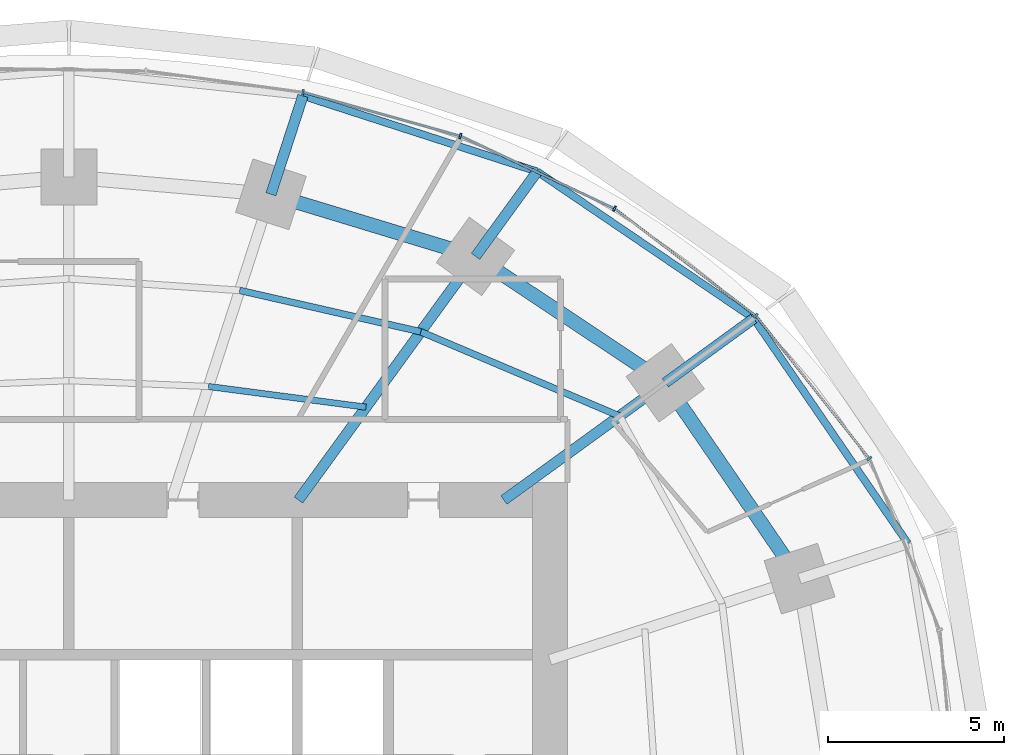
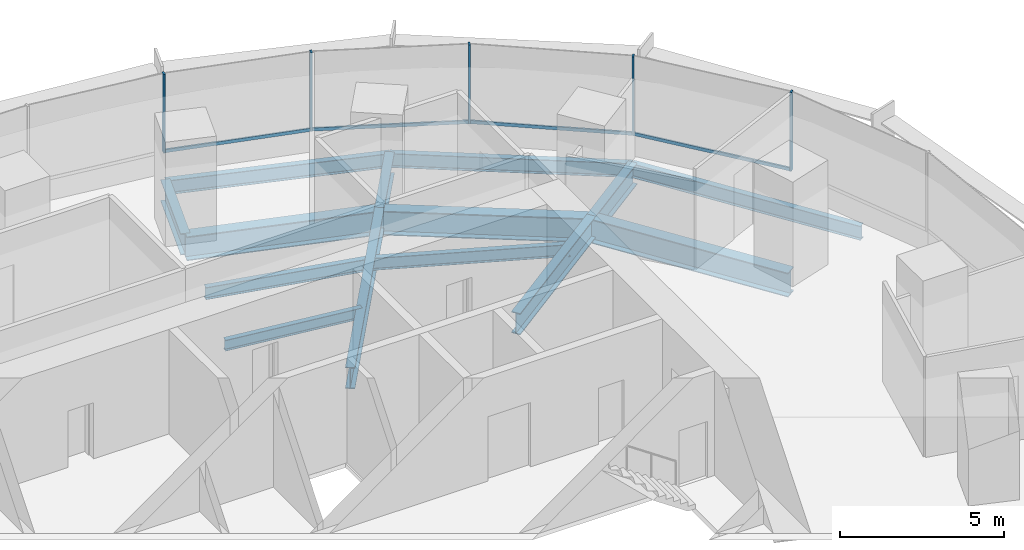
# One storey, part 8 of 14: 14 beams, 9 members, 2 elements without a shape of their own.
"""IFC4 building model written with IfcOpenShell, lengths in metres."""

from ifc_helpers import new_model, si_unit, direction, frame, origin, origin_2d, place, context, subcontext, project, spatial, rectangle, i_section, extrude, material, material_profile, profile_set, type_object, element, aggregate, save


model = new_model("IFC4")

# Units and contexts
model_context = context("Model", 3, precision=1e-05, world=origin(), true_north=direction((0.0, 1.0)))
body_context = subcontext(model_context, "Body", "Model", "MODEL_VIEW")
ifc_project = project(units=[si_unit("LENGTHUNIT", "METRE"), si_unit("AREAUNIT", "SQUARE_METRE"), si_unit("VOLUMEUNIT", "CUBIC_METRE"), si_unit("PLANEANGLEUNIT", "RADIAN"), si_unit("MASSUNIT", "GRAM", prefix="KILO")], contexts=[model_context])

# Site, building, storey
site_placement = place(None, origin())
site = spatial("IfcSite", under=ifc_project, at=site_placement, CompositionType="ELEMENT")
building_placement = place(site_placement, origin())
building = spatial("IfcBuilding", under=site, at=building_placement, Name="Marramba Exchange Tower", CompositionType="ELEMENT")
storey_placement = place(building_placement, frame((0.0, 0.0, 150.89990234375)))
storey = spatial("IfcBuildingStorey", under=building, at=storey_placement, Name="L36", CompositionType="ELEMENT", Elevation=150.89990234375)

# Beams
ifc_material_1 = material(Name="Steel AS/NZS 3679.2 grade 300", Category="steel")
ifc_material_profile_1 = material_profile(ifc_material_1, i_section(OverallWidth=0.300048828125, OverallDepth=0.800048828125, WebThickness=0.013916015625, FlangeThickness=0.031982421875, at=origin_2d()), Name="800WB192")
ifc_profile_set_1 = profile_set([ifc_material_profile_1], Name="Steel AS/NZS 3679.2 grade 300")
beam_type_1 = type_object("IfcBeamType", Name="Cantilever girder 800WB192", PredefinedType="BEAM", material=ifc_profile_set_1)
beam_1_placement = place(storey_placement, frame((16.98583984375, 12.3408203125, -0.559814453125), z_axis=(0.809013970709, 0.58778941399, 0.0), x_axis=(-0.58778941399, 0.809013970709, 0.0)))
element("IfcBeam", 1, at=beam_1_placement, inside=storey, type_object=beam_type_1, Name="Cantilever girder L36 TC03", PredefinedType="BEAM", context=body_context, shape_type="SweptSolid", body=[
    extrude(i_section(OverallWidth=0.300048828125, OverallDepth=0.800048828125, WebThickness=0.013916015625, FlangeThickness=0.031982421875, at=origin_2d()), origin(), (0.0, 0.0, 1.0), 3.1142578125),
])
beam_2_placement = place(storey_placement, frame((11.581298828125, 15.9404296875, -0.559814453125), z_axis=(0.587821738214, 0.808990484544, 0.0), x_axis=(-0.808990484544, 0.587821738214, 0.0)))
element("IfcBeam", 2, at=beam_2_placement, inside=storey, type_object=beam_type_1, Name="Cantilever girder L36 TC04", PredefinedType="BEAM", context=body_context, shape_type="SweptSolid", body=[
    extrude(i_section(OverallWidth=0.300048828125, OverallDepth=0.800048828125, WebThickness=0.013916015625, FlangeThickness=0.031982421875, at=origin_2d()), origin(), (0.0, 0.0, 1.0), 2.987060546875),
])
beam_3_placement = place(storey_placement, frame((5.75390625, 17.70849609375, -0.559814453125), z_axis=(0.309018704887, 0.951055960514, 0.0), x_axis=(-0.951055960514, 0.309018704887, 0.0)))
element("IfcBeam", 3, at=beam_3_placement, inside=storey, type_object=beam_type_1, Name="Cantilever girder L36 TC05", PredefinedType="BEAM", context=body_context, shape_type="SweptSolid", body=[
    extrude(i_section(OverallWidth=0.300048828125, OverallDepth=0.800048828125, WebThickness=0.013916015625, FlangeThickness=0.031982421875, at=origin_2d()), origin(), (0.0, 0.0, 1.0), 2.949951171875),
])
ifc_material_2 = material(Name="Steel AS/NZS 3679.1 grade 300", Category="steel")
ifc_material_profile_2 = material_profile(ifc_material_2, i_section(OverallWidth=0.177978515625, OverallDepth=0.406005859375, WebThickness=0.0078125, FlangeThickness=0.0126953125, FilletRadius=0.011474609375, at=origin_2d()), Name="410UB59.7")
ifc_profile_set_2 = profile_set([ifc_material_profile_2], Name="Steel AS/NZS 3679.1 grade 300")
beam_type_2 = type_object("IfcBeamType", Name="Floor joist 410UB59.7", PredefinedType="JOIST", material=ifc_profile_set_2)
beam_4_placement = place(storey_placement, frame((8.4619140625, 11.646728515625, -0.36279296875), z_axis=(-0.991480538255, 0.130254912618, 0.0), x_axis=(-0.130254912618, -0.991480538255, 0.0)))
element("IfcBeam", 4, at=beam_4_placement, inside=storey, type_object=beam_type_2, Name="Joist L36 bay 04 row 1", PredefinedType="JOIST", context=body_context, shape_type="SweptSolid", body=[
    extrude(i_section(OverallWidth=0.177978515625, OverallDepth=0.406005859375, WebThickness=0.0078125, FlangeThickness=0.0126953125, FilletRadius=0.011474609375, at=origin_2d()), origin(), (0.0, 0.0, 1.0), 4.524658203125),
])
ifc_material_profile_3 = material_profile(ifc_material_2, i_section(OverallWidth=0.18994140625, OverallDepth=0.4541015625, WebThickness=0.008544921875, FlangeThickness=0.0126953125, FilletRadius=0.011474609375, at=origin_2d()), Name="460UB67.1")
ifc_profile_set_3 = profile_set([ifc_material_profile_3], Name="Steel AS/NZS 3679.1 grade 300")
beam_type_3 = type_object("IfcBeamType", Name="Floor joist 460UB67.1", PredefinedType="JOIST", material=ifc_profile_set_3)
beam_5_placement = place(storey_placement, frame((15.682373046875, 11.393798828125, -0.386962890625), z_axis=(-0.920674336375, 0.390331610738, 0.0), x_axis=(-0.390331610738, -0.920674336375, 0.0)))
element("IfcBeam", 5, at=beam_5_placement, inside=storey, type_object=beam_type_3, Name="Joist L36 bay 03 row 2", PredefinedType="JOIST", context=body_context, shape_type="SweptSolid", body=[
    extrude(i_section(OverallWidth=0.18994140625, OverallDepth=0.4541015625, WebThickness=0.008544921875, FlangeThickness=0.0126953125, FilletRadius=0.011474609375, at=origin_2d()), origin(), (0.0, 0.0, 1.0), 6.1484375),
])
beam_6_placement = place(storey_placement, frame((10.021728515625, 13.793701171875, -0.386962890625), z_axis=(-0.974859652292, 0.222819788916, 0.0), x_axis=(-0.222819788916, -0.974859652292, 0.0)))
element("IfcBeam", 6, at=beam_6_placement, inside=storey, type_object=beam_type_3, Name="Joist L36 bay 04 row 2", PredefinedType="JOIST", context=body_context, shape_type="SweptSolid", body=[
    extrude(i_section(OverallWidth=0.18994140625, OverallDepth=0.4541015625, WebThickness=0.008544921875, FlangeThickness=0.0126953125, FilletRadius=0.011474609375, at=origin_2d()), origin(), (0.0, 0.0, 1.0), 5.2900390625),
])

# Curtain wall, members
ifc_material_3 = material(Name="Aluminium framing, bronze anodised", Category="aluminium")
curtain_wall_type = type_object("IfcCurtainWallType", Name="Office ribbon curtain wall", PredefinedType="USERDEFINED", material=ifc_material_3)
curtain_wall_1_placement = place(storey_placement, origin())
curtain_wall_1 = element("IfcCurtainWall", 7, at=curtain_wall_1_placement, inside=storey, type_object=curtain_wall_type, Name="Curtain wall CW4 L36 F01-F05", ObjectType="RIBBON CURTAIN WALL", PredefinedType="USERDEFINED")
ifc_material_4 = material(Name="Aluminium mullion, bronze anodised", Category="aluminium")
ifc_material_profile_4 = material_profile(ifc_material_4, rectangle(XDim=0.159912109375, YDim=0.06005859375, at=origin_2d()), Name="CW4 mullion 60x160")
ifc_profile_set_4 = profile_set([ifc_material_profile_4], Name="Aluminium mullion, bronze anodised")
member_type_1 = type_object("IfcMemberType", Name="Office ribbon curtain wall mullion", PredefinedType="MULLION", material=ifc_profile_set_4)
member_1_placement = place(storey_placement, frame((22.796630859375, 10.181640625, 0.800048828125), z_axis=(0.0, 0.0, 1.0), x_axis=(-0.783563266703, -0.621312004611, 0.0)))
member_1 = element("IfcMember", 8, at=member_1_placement, type_object=member_type_1, Name="CW4 mullion 1", PredefinedType="MULLION", context=body_context, shape_type="SweptSolid", body=[
    extrude(rectangle(XDim=0.159912109375, YDim=0.06005859375, at=origin_2d()), origin(), (0.0, 0.0, 1.0), 2.93994140625),
])
member_2_placement = place(storey_placement, frame((19.5625, 14.24853515625, 0.800048828125), z_axis=(0.0, 0.0, 1.0), x_axis=(-0.60533377223, -0.795971748366, 0.0)))
member_2 = element("IfcMember", 9, at=member_2_placement, type_object=member_type_1, Name="CW4 mullion 1", PredefinedType="MULLION", context=body_context, shape_type="SweptSolid", body=[
    extrude(rectangle(XDim=0.159912109375, YDim=0.06005859375, at=origin_2d()), origin(), (0.0, 0.0, 1.0), 2.93994140625),
])
member_3_placement = place(storey_placement, frame((15.538818359375, 17.300537109375, 0.800048828125), z_axis=(0.0, 0.0, 1.0), x_axis=(-0.426678995157, -0.904403137485, 0.0)))
member_3 = element("IfcMember", 10, at=member_3_placement, type_object=member_type_1, Name="CW4 mullion 1", PredefinedType="MULLION", context=body_context, shape_type="SweptSolid", body=[
    extrude(rectangle(XDim=0.159912109375, YDim=0.06005859375, at=origin_2d()), origin(), (0.0, 0.0, 1.0), 2.93994140625),
])

curtain_wall_2_placement = place(storey_placement, origin())
curtain_wall_2 = element("IfcCurtainWall", 11, at=curtain_wall_2_placement, inside=storey, type_object=curtain_wall_type, Name="Curtain wall CW4 L36 F06-F10", ObjectType="RIBBON CURTAIN WALL", PredefinedType="USERDEFINED")
member_4_placement = place(storey_placement, frame((11.147705078125, 19.366455078125, 0.800048828125), z_axis=(0.0, 0.0, 1.0), x_axis=(-0.268865090816, -0.963177845956, 0.0)))
member_4 = element("IfcMember", 12, at=member_4_placement, type_object=member_type_1, Name="CW4 mullion 1", PredefinedType="MULLION", context=body_context, shape_type="SweptSolid", body=[
    extrude(rectangle(XDim=0.159912109375, YDim=0.06005859375, at=origin_2d()), origin(), (0.0, 0.0, 1.0), 2.93994140625),
])
member_5_placement = place(storey_placement, frame((6.66650390625, 20.61328125, 0.800048828125), z_axis=(0.0, 0.0, 1.0), x_axis=(-0.135785837319, -0.990738212841, 0.0)))
member_5 = element("IfcMember", 13, at=member_5_placement, type_object=member_type_1, Name="CW4 mullion 1", PredefinedType="MULLION", context=body_context, shape_type="SweptSolid", body=[
    extrude(rectangle(XDim=0.159912109375, YDim=0.06005859375, at=origin_2d()), origin(), (0.0, 0.0, 1.0), 2.93994140625),
])

# Member
ifc_material_5 = material(Name="Aluminium transom, bronze anodised", Category="aluminium")
ifc_material_profile_5 = material_profile(ifc_material_5, rectangle(XDim=0.06005859375, YDim=0.1201171875, at=origin_2d()), Name="CW4 transom 60x120")
ifc_profile_set_5 = profile_set([ifc_material_profile_5], Name="Aluminium transom, bronze anodised")
member_type_2 = type_object("IfcMemberType", Name="Office ribbon curtain wall transom", PredefinedType="USERDEFINED", material=ifc_profile_set_5)
member_6_placement = place(storey_placement, frame((22.778076171875, 10.205078125, 0.830078125), z_axis=(-0.621339379472, 0.783541559534, 0.0), x_axis=(-0.783541559534, -0.621339379472, 0.0)))
member_6 = element("IfcMember", 14, at=member_6_placement, type_object=member_type_2, Name="CW4 sill transom", ObjectType="TRANSOM", PredefinedType="USERDEFINED", context=body_context, shape_type="SweptSolid", body=[
    extrude(rectangle(XDim=0.06005859375, YDim=0.1201171875, at=origin_2d()), origin(), (0.0, 0.0, 1.0), 5.13720703125),
])

member_7_placement = place(storey_placement, frame((19.53857421875, 14.2666015625, 0.830078125), z_axis=(-0.7959906025, 0.605308979556, 0.0), x_axis=(-0.605308979556, -0.7959906025, 0.0)))
member_7 = element("IfcMember", 15, at=member_7_placement, type_object=member_type_2, Name="CW4 sill transom", ObjectType="TRANSOM", PredefinedType="USERDEFINED", context=body_context, shape_type="SweptSolid", body=[
    extrude(rectangle(XDim=0.06005859375, YDim=0.1201171875, at=origin_2d()), origin(), (0.0, 0.0, 1.0), 4.99072265625),
])

member_8_placement = place(storey_placement, frame((15.51171875, 17.313232421875, 0.830078125), z_axis=(-0.904410826824, 0.426662696193, 0.0), x_axis=(-0.426662696193, -0.904410826824, 0.0)))
member_8 = element("IfcMember", 16, at=member_8_placement, type_object=member_type_2, Name="CW4 sill transom", ObjectType="TRANSOM", PredefinedType="USERDEFINED", context=body_context, shape_type="SweptSolid", body=[
    extrude(rectangle(XDim=0.06005859375, YDim=0.1201171875, at=origin_2d()), origin(), (0.0, 0.0, 1.0), 4.79345703125),
])

aggregate(curtain_wall_1, [member_1, member_6, member_2, member_7, member_3, member_8])

member_9_placement = place(storey_placement, frame((11.118896484375, 19.37451171875, 0.830078125), z_axis=(-0.963173567938, 0.268880415847, 0.0), x_axis=(-0.268880415847, -0.963173567938, 0.0)))
member_9 = element("IfcMember", 17, at=member_9_placement, type_object=member_type_2, Name="CW4 sill transom", ObjectType="TRANSOM", PredefinedType="USERDEFINED", context=body_context, shape_type="SweptSolid", body=[
    extrude(rectangle(XDim=0.06005859375, YDim=0.1201171875, at=origin_2d()), origin(), (0.0, 0.0, 1.0), 4.591796875),
])

aggregate(curtain_wall_2, [member_4, member_9, member_5])

# Beams
ifc_material_profile_6 = material_profile(ifc_material_1, i_section(OverallWidth=0.300048828125, OverallDepth=0.800048828125, WebThickness=0.013916015625, FlangeThickness=0.031982421875, at=origin_2d()), Name="800WB192")
ifc_profile_set_6 = profile_set([ifc_material_profile_6], Name="Steel AS/NZS 3679.2 grade 300")
beam_type_4 = type_object("IfcBeamType", Name="Radial girder 800WB192", PredefinedType="BEAM", material=ifc_profile_set_6)
beam_7_placement = place(storey_placement, frame((12.387451171875, 9.0, -0.559814453125), z_axis=(0.809025746925, 0.587773205252, 0.0), x_axis=(-0.587773205252, 0.809025746925, 0.0)))
element("IfcBeam", 18, at=beam_7_placement, inside=storey, type_object=beam_type_4, Name="Radial girder L36 TC03", PredefinedType="BEAM", context=body_context, shape_type="SweptSolid", body=[
    extrude(i_section(OverallWidth=0.300048828125, OverallDepth=0.800048828125, WebThickness=0.013916015625, FlangeThickness=0.031982421875, at=origin_2d()), origin(), (0.0, 0.0, 1.0), 5.683837890625),
])
beam_8_placement = place(storey_placement, frame((6.538818359375, 9.0, -0.559814453125), z_axis=(0.587782439969, 0.80901903764, 0.0), x_axis=(-0.80901903764, 0.587782439969, 0.0)))
element("IfcBeam", 19, at=beam_8_placement, inside=storey, type_object=beam_type_4, Name="Radial girder L36 TC04", PredefinedType="BEAM", context=body_context, shape_type="SweptSolid", body=[
    extrude(i_section(OverallWidth=0.300048828125, OverallDepth=0.800048828125, WebThickness=0.013916015625, FlangeThickness=0.031982421875, at=origin_2d()), origin(), (0.0, 0.0, 1.0), 8.578857421875),
])
ifc_material_profile_7 = material_profile(ifc_material_1, i_section(OverallWidth=0.39990234375, OverallDepth=0.89990234375, WebThickness=0.01611328125, FlangeThickness=0.031982421875, at=origin_2d()), Name="900WB282")
ifc_profile_set_7 = profile_set([ifc_material_profile_7], Name="Steel AS/NZS 3679.2 grade 300")
beam_type_5 = type_object("IfcBeamType", Name="Ring beam 900WB282", PredefinedType="SPANDREL", material=ifc_profile_set_7)
beam_9_placement = place(storey_placement, frame((20.808349609375, 6.760986328125, -0.60986328125), z_axis=(-0.56516002054, 0.824981303535, 0.0), x_axis=(-0.824981303535, -0.56516002054, 0.0)))
element("IfcBeam", 20, at=beam_9_placement, inside=storey, type_object=beam_type_5, Name="Ring beam L36 TC02-TC03", PredefinedType="SPANDREL", context=body_context, shape_type="SweptSolid", body=[
    extrude(i_section(OverallWidth=0.39990234375, OverallDepth=0.89990234375, WebThickness=0.01611328125, FlangeThickness=0.031982421875, at=origin_2d()), origin(), (0.0, 0.0, 1.0), 6.763671875),
])
beam_10_placement = place(storey_placement, frame((16.98583984375, 12.3408203125, -0.60986328125), z_axis=(-0.832293151443, 0.554335737673, 0.0), x_axis=(-0.554335737673, -0.832293151443, 0.0)))
element("IfcBeam", 21, at=beam_10_placement, inside=storey, type_object=beam_type_5, Name="Ring beam L36 TC03-TC04", PredefinedType="SPANDREL", context=body_context, shape_type="SweptSolid", body=[
    extrude(i_section(OverallWidth=0.39990234375, OverallDepth=0.89990234375, WebThickness=0.01611328125, FlangeThickness=0.031982421875, at=origin_2d()), origin(), (0.0, 0.0, 1.0), 6.49365234375),
])
beam_11_placement = place(storey_placement, frame((11.581298828125, 15.9404296875, -0.60986328125), z_axis=(-0.956924542524, 0.290336735387, 0.0), x_axis=(-0.290336735387, -0.956924542524, 0.0)))
element("IfcBeam", 22, at=beam_11_placement, inside=storey, type_object=beam_type_5, Name="Ring beam L36 TC04-TC05", PredefinedType="SPANDREL", context=body_context, shape_type="SweptSolid", body=[
    extrude(i_section(OverallWidth=0.39990234375, OverallDepth=0.89990234375, WebThickness=0.01611328125, FlangeThickness=0.031982421875, at=origin_2d()), origin(), (0.0, 0.0, 1.0), 6.089599609375),
])
ifc_material_profile_8 = material_profile(ifc_material_2, i_section(OverallWidth=0.208984375, OverallDepth=0.528076171875, WebThickness=0.009521484375, FlangeThickness=0.01318359375, FilletRadius=0.013916015625, at=origin_2d()), Name="530UB82.0")
ifc_profile_set_8 = profile_set([ifc_material_profile_8], Name="Steel AS/NZS 3679.1 grade 300")
beam_type_6 = type_object("IfcBeamType", Name="Slab edge beam 530UB82.0", PredefinedType="SPANDREL", material=ifc_profile_set_8)
beam_12_placement = place(storey_placement, frame((23.89501953125, 7.763916015625, -0.423828125), z_axis=(-0.56517400038, 0.824971726361, 0.0), x_axis=(-0.824971726361, -0.56517400038, 0.0)))
element("IfcBeam", 23, at=beam_12_placement, inside=storey, type_object=beam_type_6, Name="Slab edge beam L36 TC02-TC03", PredefinedType="SPANDREL", context=body_context, shape_type="SweptSolid", body=[
    extrude(i_section(OverallWidth=0.208984375, OverallDepth=0.528076171875, WebThickness=0.009521484375, FlangeThickness=0.01318359375, FilletRadius=0.013916015625, at=origin_2d()), origin(), (0.0, 0.0, 1.0), 7.766845703125),
])
beam_13_placement = place(storey_placement, frame((19.50537109375, 14.17138671875, -0.423828125), z_axis=(-0.827477404833, 0.561499015574, 0.0), x_axis=(-0.561499015574, -0.827477404833, 0.0)))
element("IfcBeam", 24, at=beam_13_placement, inside=storey, type_object=beam_type_6, Name="Slab edge beam L36 TC03-TC04", PredefinedType="SPANDREL", context=body_context, shape_type="SweptSolid", body=[
    extrude(i_section(OverallWidth=0.208984375, OverallDepth=0.528076171875, WebThickness=0.009521484375, FlangeThickness=0.01318359375, FilletRadius=0.013916015625, at=origin_2d()), origin(), (0.0, 0.0, 1.0), 7.454345703125),
])
beam_14_placement = place(storey_placement, frame((13.337158203125, 18.35693359375, -0.423828125), z_axis=(-0.951496392577, 0.307659901373, 0.0), x_axis=(-0.307659901373, -0.951496392577, 0.0)))
element("IfcBeam", 25, at=beam_14_placement, inside=storey, type_object=beam_type_6, Name="Slab edge beam L36 TC04-TC05", PredefinedType="SPANDREL", context=body_context, shape_type="SweptSolid", body=[
    extrude(i_section(OverallWidth=0.208984375, OverallDepth=0.528076171875, WebThickness=0.009521484375, FlangeThickness=0.01318359375, FilletRadius=0.013916015625, at=origin_2d()), origin(), (0.0, 0.0, 1.0), 7.01171875),
])

save(model, "model.ifc")
